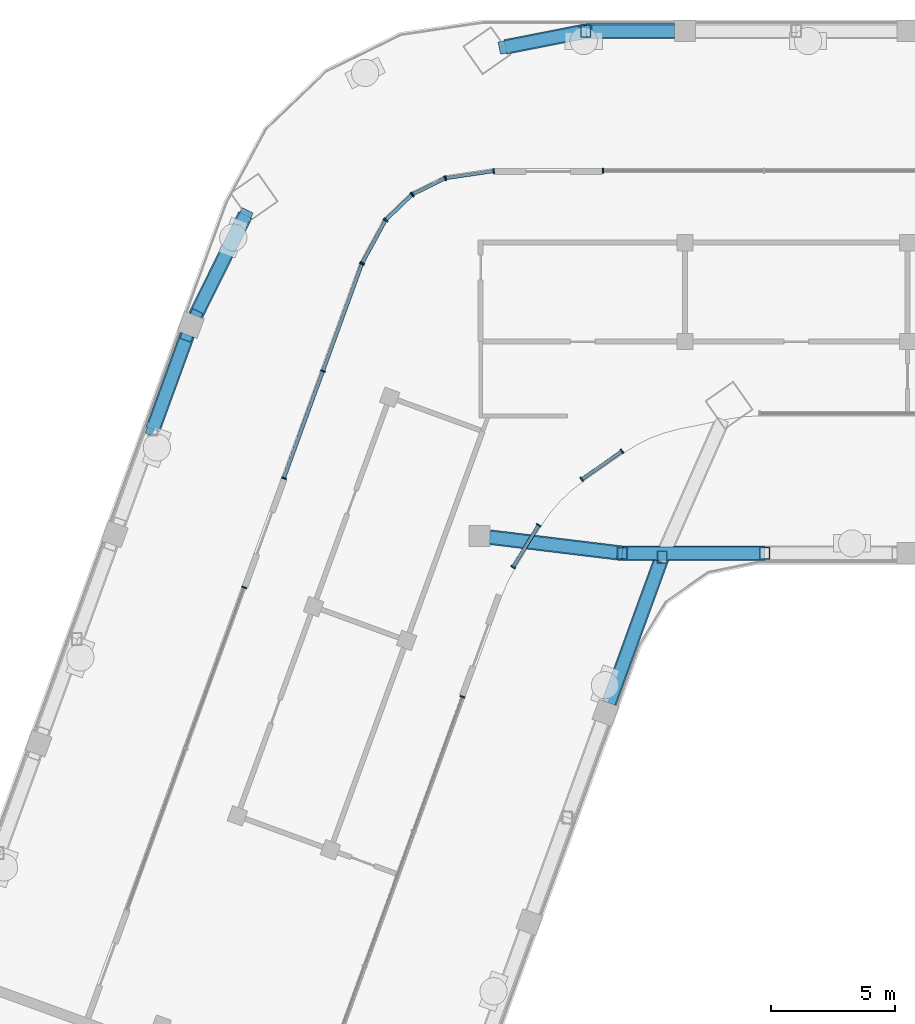
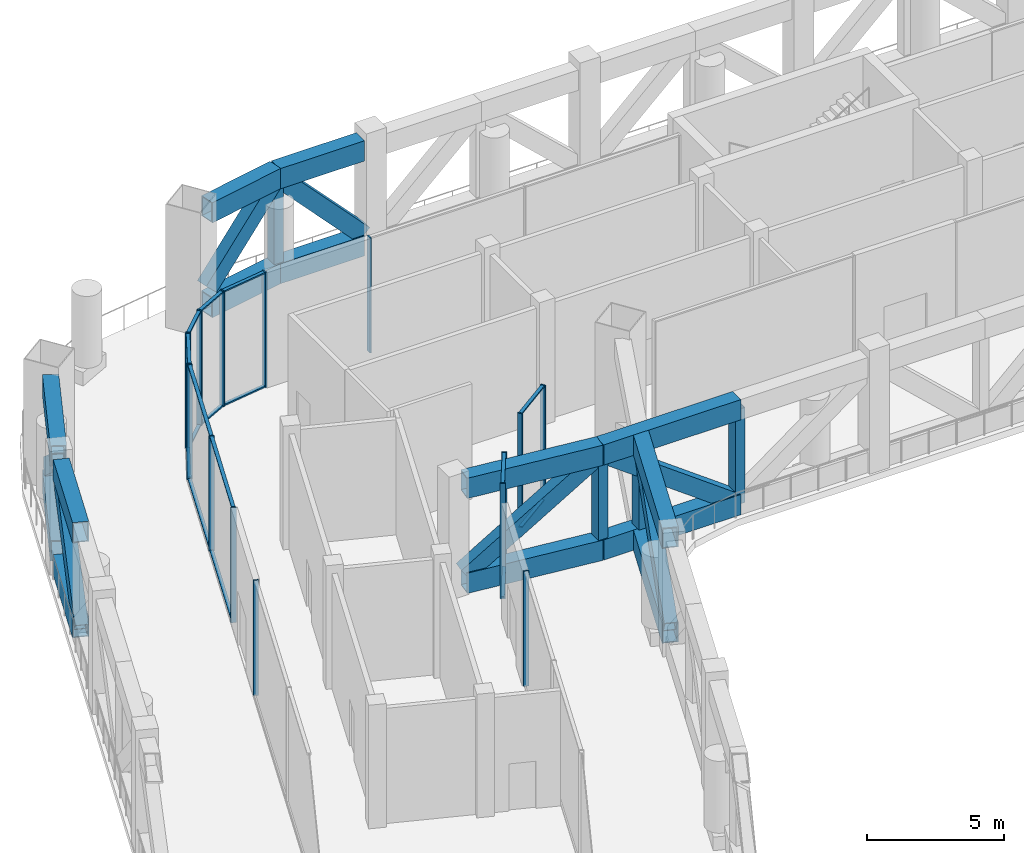
# One storey, part 3 of 19: 59 members, 10 elements without a shape of their own.
"""IFC4 building model written with IfcOpenShell, lengths in metres."""

from ifc_helpers import new_model, si_unit, direction, frame, origin, origin_2d, place, context, subcontext, project, spatial, rectangle, hollow_rectangle, extrude, material, material_profile, profile_set, type_object, element, aggregate, save


model = new_model("IFC4")

# Units and contexts
model_context = context("Model", 3, precision=1e-05, world=origin(), true_north=direction((0.0, 1.0)))
body_context = subcontext(model_context, "Body", "Model", "MODEL_VIEW")
ifc_project = project(units=[si_unit("LENGTHUNIT", "METRE"), si_unit("AREAUNIT", "SQUARE_METRE"), si_unit("VOLUMEUNIT", "CUBIC_METRE"), si_unit("PLANEANGLEUNIT", "RADIAN"), si_unit("MASSUNIT", "GRAM", prefix="KILO")], contexts=[model_context])

# Site, building, storey
site_placement = place(None, origin())
site = spatial("IfcSite", under=ifc_project, at=site_placement, CompositionType="ELEMENT")
building_placement = place(site_placement, origin())
building = spatial("IfcBuilding", under=site, at=building_placement, Name="Skarvind Civic Tower", CompositionType="ELEMENT")
storey_placement = place(building_placement, frame((0.0, 0.0, 129.0)))
storey = spatial("IfcBuildingStorey", under=building, at=storey_placement, Name="L30", CompositionType="ELEMENT", Elevation=129.0)

# Curtain wall, member
ifc_material_1 = material(Name="Aluminium alloy 6063 and laminated glass", Category="aluminium")
curtain_wall_type = type_object("IfcCurtainWallType", Name="CW3 SEPARATOR INNER GLAZING", PredefinedType="NOTDEFINED", material=ifc_material_1)
curtain_wall_1_placement = place(storey_placement, origin())
curtain_wall_1 = element("IfcCurtainWall", 1, at=curtain_wall_1_placement, inside=storey, type_object=curtain_wall_type, Name="SEPARATOR INNER GLAZING", PredefinedType="NOTDEFINED")
ifc_material_2 = material(Name="Aluminium alloy 6063", Category="aluminium")
ifc_material_profile_1 = material_profile(ifc_material_2, rectangle(XDim=0.199951171875, YDim=0.06005859375, at=origin_2d()), Name="AL 60x200")
ifc_profile_set_1 = profile_set([ifc_material_profile_1], Name="Aluminium alloy 6063")
member_type_1 = type_object("IfcMemberType", Name="CW3 MULLION 60x200", PredefinedType="MULLION", material=ifc_profile_set_1)
member_1_placement = place(storey_placement, frame((45.2626953125, 111.64794921875, 0.0), z_axis=(0.0, 0.0, 1.0), x_axis=(0.939693443578, -0.342017882714, 0.0)))
member_1 = element("IfcMember", 2, at=member_1_placement, type_object=member_type_1, Name="CW3 mullion 1", PredefinedType="MULLION", context=body_context, shape_type="SweptSolid", body=[
    extrude(rectangle(XDim=0.199951171875, YDim=0.06005859375, at=origin_2d()), origin(), (0.0, 0.0, 1.0), 5.125),
])
aggregate(curtain_wall_1, [member_1])

# Curtain wall, members
curtain_wall_2_placement = place(storey_placement, origin())
curtain_wall_2 = element("IfcCurtainWall", 3, at=curtain_wall_2_placement, inside=storey, type_object=curtain_wall_type, Name="SEPARATOR INNER GLAZING", PredefinedType="NOTDEFINED")
member_2_placement = place(storey_placement, frame((48.34375, 118.582763671875, 0.0), z_axis=(0.0, 0.0, 1.0), x_axis=(0.852690615508, -0.522416226992, 0.0)))
member_2 = element("IfcMember", 4, at=member_2_placement, type_object=member_type_1, Name="CW3 mullion 1", PredefinedType="MULLION", context=body_context, shape_type="SweptSolid", body=[
    extrude(rectangle(XDim=0.199951171875, YDim=0.06005859375, at=origin_2d()), origin(), (0.0, 0.0, 1.0), 5.125),
])
member_3_placement = place(storey_placement, frame((47.30810546875, 116.892578125, 0.0), z_axis=(0.0, 0.0, 1.0), x_axis=(0.852690615508, -0.522416226992, 0.0)))
member_3 = element("IfcMember", 5, at=member_3_placement, type_object=member_type_1, Name="CW3 mullion 2", PredefinedType="MULLION", context=body_context, shape_type="SweptSolid", body=[
    extrude(rectangle(XDim=0.199951171875, YDim=0.06005859375, at=origin_2d()), origin(), (0.0, 0.0, 1.0), 5.125),
])

curtain_wall_3_placement = place(storey_placement, origin())
curtain_wall_3 = element("IfcCurtainWall", 6, at=curtain_wall_3_placement, inside=storey, type_object=curtain_wall_type, Name="SEPARATOR INNER GLAZING", PredefinedType="NOTDEFINED")
member_4_placement = place(storey_placement, frame((51.71044921875, 121.57275390625, 0.0), z_axis=(0.0, 0.0, 1.0), x_axis=(0.573583930662, -0.819146796665, 0.0)))
member_4 = element("IfcMember", 7, at=member_4_placement, type_object=member_type_1, Name="CW3 mullion 1", PredefinedType="MULLION", context=body_context, shape_type="SweptSolid", body=[
    extrude(rectangle(XDim=0.199951171875, YDim=0.06005859375, at=origin_2d()), origin(), (0.0, 0.0, 1.0), 5.125),
])
member_5_placement = place(storey_placement, frame((50.086669921875, 120.435791015625, 0.0), z_axis=(0.0, 0.0, 1.0), x_axis=(0.573583930662, -0.819146796665, 0.0)))
member_5 = element("IfcMember", 8, at=member_5_placement, type_object=member_type_1, Name="CW3 mullion 2", PredefinedType="MULLION", context=body_context, shape_type="SweptSolid", body=[
    extrude(rectangle(XDim=0.199951171875, YDim=0.06005859375, at=origin_2d()), origin(), (0.0, 0.0, 1.0), 5.125),
])

# Curtain wall, member
curtain_wall_4_placement = place(storey_placement, origin())
curtain_wall_4 = element("IfcCurtainWall", 9, at=curtain_wall_4_placement, inside=storey, type_object=curtain_wall_type, Name="SEPARATOR INNER GLAZING", PredefinedType="NOTDEFINED")
member_6_placement = place(storey_placement, frame((50.934326171875, 132.89990234375, 0.0), z_axis=(0.0, 0.0, 1.0), x_axis=(0.0, 1.0, 0.0)))
member_6 = element("IfcMember", 10, at=member_6_placement, type_object=member_type_1, Name="CW3 mullion 1", PredefinedType="MULLION", context=body_context, shape_type="SweptSolid", body=[
    extrude(rectangle(XDim=0.199951171875, YDim=0.06005859375, at=origin_2d()), origin(), (0.0, 0.0, 1.0), 5.125),
])
aggregate(curtain_wall_4, [member_6])

# Curtain wall, members
curtain_wall_5_placement = place(storey_placement, origin())
curtain_wall_5 = element("IfcCurtainWall", 11, at=curtain_wall_5_placement, inside=storey, type_object=curtain_wall_type, Name="SEPARATOR INNER GLAZING", PredefinedType="NOTDEFINED")
member_7_placement = place(storey_placement, frame((44.59033203125, 132.609130859375, 0.0), z_axis=(0.0, 0.0, 1.0), x_axis=(-0.147088185109, 0.989123382496, 0.0)))
member_7 = element("IfcMember", 12, at=member_7_placement, type_object=member_type_1, Name="CW3 mullion 1", PredefinedType="MULLION", context=body_context, shape_type="SweptSolid", body=[
    extrude(rectangle(XDim=0.199951171875, YDim=0.06005859375, at=origin_2d()), origin(), (0.0, 0.0, 1.0), 5.125),
])
member_8_placement = place(storey_placement, frame((46.524169921875, 132.896728515625, 0.0), z_axis=(0.0, 0.0, 1.0), x_axis=(-0.147088185109, 0.989123382496, 0.0)))
member_8 = element("IfcMember", 13, at=member_8_placement, type_object=member_type_1, Name="CW3 mullion 2", PredefinedType="MULLION", context=body_context, shape_type="SweptSolid", body=[
    extrude(rectangle(XDim=0.199951171875, YDim=0.06005859375, at=origin_2d()), origin(), (0.0, 0.0, 1.0), 5.125),
])

curtain_wall_6_placement = place(storey_placement, origin())
curtain_wall_6 = element("IfcCurtainWall", 14, at=curtain_wall_6_placement, inside=storey, type_object=curtain_wall_type, Name="SEPARATOR INNER GLAZING", PredefinedType="NOTDEFINED")
member_9_placement = place(storey_placement, frame((43.248291015625, 131.954833984375, 0.0), z_axis=(0.0, 0.0, 1.0), x_axis=(-0.440749091032, 0.897630346387, 0.0)))
member_9 = element("IfcMember", 15, at=member_9_placement, type_object=member_type_1, Name="CW3 mullion 1", PredefinedType="MULLION", context=body_context, shape_type="SweptSolid", body=[
    extrude(rectangle(XDim=0.199951171875, YDim=0.06005859375, at=origin_2d()), origin(), (0.0, 0.0, 1.0), 5.125),
])
member_10_placement = place(storey_placement, frame((44.563232421875, 132.6005859375, 0.0), z_axis=(0.0, 0.0, 1.0), x_axis=(-0.440749091032, 0.897630346387, 0.0)))
member_10 = element("IfcMember", 16, at=member_10_placement, type_object=member_type_1, Name="CW3 mullion 2", PredefinedType="MULLION", context=body_context, shape_type="SweptSolid", body=[
    extrude(rectangle(XDim=0.199951171875, YDim=0.06005859375, at=origin_2d()), origin(), (0.0, 0.0, 1.0), 5.125),
])

curtain_wall_7_placement = place(storey_placement, origin())
curtain_wall_7 = element("IfcCurtainWall", 17, at=curtain_wall_7_placement, inside=storey, type_object=curtain_wall_type, Name="SEPARATOR INNER GLAZING", PredefinedType="NOTDEFINED")
member_11_placement = place(storey_placement, frame((42.16845703125, 130.923828125, 0.0), z_axis=(0.0, 0.0, 1.0), x_axis=(-0.692732476085, 0.721194645416, 0.0)))
member_11 = element("IfcMember", 18, at=member_11_placement, type_object=member_type_1, Name="CW3 mullion 1", PredefinedType="MULLION", context=body_context, shape_type="SweptSolid", body=[
    extrude(rectangle(XDim=0.199951171875, YDim=0.06005859375, at=origin_2d()), origin(), (0.0, 0.0, 1.0), 5.125),
])
member_12_placement = place(storey_placement, frame((43.224853515625, 131.9384765625, 0.0), z_axis=(0.0, 0.0, 1.0), x_axis=(-0.692732476085, 0.721194645416, 0.0)))
member_12 = element("IfcMember", 19, at=member_12_placement, type_object=member_type_1, Name="CW3 mullion 2", PredefinedType="MULLION", context=body_context, shape_type="SweptSolid", body=[
    extrude(rectangle(XDim=0.199951171875, YDim=0.06005859375, at=origin_2d()), origin(), (0.0, 0.0, 1.0), 5.125),
])

curtain_wall_8_placement = place(storey_placement, origin())
curtain_wall_8 = element("IfcCurtainWall", 20, at=curtain_wall_8_placement, inside=storey, type_object=curtain_wall_type, Name="SEPARATOR INNER GLAZING", PredefinedType="NOTDEFINED")
member_13_placement = place(storey_placement, frame((41.21923828125, 129.18212890625, 0.0), z_axis=(0.0, 0.0, 1.0), x_axis=(-0.879149914421, 0.476545305268, 0.0)))
member_13 = element("IfcMember", 21, at=member_13_placement, type_object=member_type_1, Name="CW3 mullion 1", PredefinedType="MULLION", context=body_context, shape_type="SweptSolid", body=[
    extrude(rectangle(XDim=0.199951171875, YDim=0.06005859375, at=origin_2d()), origin(), (0.0, 0.0, 1.0), 5.125),
])
member_14_placement = place(storey_placement, frame((42.151123046875, 130.901123046875, 0.0), z_axis=(0.0, 0.0, 1.0), x_axis=(-0.879149914421, 0.476545305268, 0.0)))
member_14 = element("IfcMember", 22, at=member_14_placement, type_object=member_type_1, Name="CW3 mullion 2", PredefinedType="MULLION", context=body_context, shape_type="SweptSolid", body=[
    extrude(rectangle(XDim=0.199951171875, YDim=0.06005859375, at=origin_2d()), origin(), (0.0, 0.0, 1.0), 5.125),
])

# Curtain wall, member
curtain_wall_9_placement = place(storey_placement, origin())
curtain_wall_9 = element("IfcCurtainWall", 23, at=curtain_wall_9_placement, inside=storey, type_object=curtain_wall_type, Name="SEPARATOR INNER GLAZING", PredefinedType="NOTDEFINED")
member_15_placement = place(storey_placement, frame((36.442626953125, 116.068115234375, 0.0), z_axis=(0.0, 0.0, 1.0), x_axis=(-0.939692012762, 0.342021813854, 0.0)))
member_15 = element("IfcMember", 24, at=member_15_placement, type_object=member_type_1, Name="CW3 mullion 3", PredefinedType="MULLION", context=body_context, shape_type="SweptSolid", body=[
    extrude(rectangle(XDim=0.199951171875, YDim=0.06005859375, at=origin_2d()), origin(), (0.0, 0.0, 1.0), 5.125),
])
aggregate(curtain_wall_9, [member_15])

# Curtain wall, members
curtain_wall_10_placement = place(storey_placement, origin())
curtain_wall_10 = element("IfcCurtainWall", 25, at=curtain_wall_10_placement, inside=storey, type_object=curtain_wall_type, Name="SEPARATOR INNER GLAZING", PredefinedType="NOTDEFINED")
member_16_placement = place(storey_placement, frame((38.04931640625, 120.482177734375, 0.0), z_axis=(0.0, 0.0, 1.0), x_axis=(-0.939690437186, 0.342026142657, 0.0)))
member_16 = element("IfcMember", 26, at=member_16_placement, type_object=member_type_1, Name="CW3 mullion 1", PredefinedType="MULLION", context=body_context, shape_type="SweptSolid", body=[
    extrude(rectangle(XDim=0.199951171875, YDim=0.06005859375, at=origin_2d()), origin(), (0.0, 0.0, 1.0), 5.125),
])
member_17_placement = place(storey_placement, frame((39.625, 124.811767578125, 0.0), z_axis=(0.0, 0.0, 1.0), x_axis=(-0.939690437186, 0.342026142657, 0.0)))
member_17 = element("IfcMember", 27, at=member_17_placement, type_object=member_type_1, Name="CW3 mullion 2", PredefinedType="MULLION", context=body_context, shape_type="SweptSolid", body=[
    extrude(rectangle(XDim=0.199951171875, YDim=0.06005859375, at=origin_2d()), origin(), (0.0, 0.0, 1.0), 5.125),
])
member_18_placement = place(storey_placement, frame((41.200927734375, 129.14111328125, 0.0), z_axis=(0.0, 0.0, 1.0), x_axis=(-0.939690437186, 0.342026142657, 0.0)))
member_18 = element("IfcMember", 28, at=member_18_placement, type_object=member_type_1, Name="CW3 mullion 3", PredefinedType="MULLION", context=body_context, shape_type="SweptSolid", body=[
    extrude(rectangle(XDim=0.199951171875, YDim=0.06005859375, at=origin_2d()), origin(), (0.0, 0.0, 1.0), 5.125),
])

# Member
ifc_material_profile_2 = material_profile(ifc_material_2, rectangle(XDim=0.139892578125, YDim=0.06005859375, at=origin_2d()), Name="AL 60x140")
ifc_profile_set_2 = profile_set([ifc_material_profile_2], Name="Aluminium alloy 6063")
member_type_2 = type_object("IfcMemberType", Name="CW3 TRANSOM 60x140", PredefinedType="USERDEFINED", material=ifc_profile_set_2)
member_19_placement = place(storey_placement, frame((48.328125, 118.55712890625, 0.030029296875), z_axis=(-0.522466758682, -0.852659654301, 0.0), x_axis=(0.852659654301, -0.522466758682, 0.0)))
member_19 = element("IfcMember", 29, at=member_19_placement, type_object=member_type_2, Name="CW3 transom 1.1", ObjectType="TRANSOM", PredefinedType="USERDEFINED", context=body_context, shape_type="SweptSolid", body=[
    extrude(rectangle(XDim=0.139892578125, YDim=0.06005859375, at=origin_2d()), origin(), (0.0, 0.0, 1.0), 1.92236328125),
])

member_20_placement = place(storey_placement, frame((48.328125, 118.55712890625, 5.094970703125), z_axis=(-0.522466758682, -0.852659654301, 0.0), x_axis=(0.852659654301, -0.522466758682, 0.0)))
member_20 = element("IfcMember", 30, at=member_20_placement, type_object=member_type_2, Name="CW3 transom 1.2", ObjectType="TRANSOM", PredefinedType="USERDEFINED", context=body_context, shape_type="SweptSolid", body=[
    extrude(rectangle(XDim=0.139892578125, YDim=0.06005859375, at=origin_2d()), origin(), (0.0, 0.0, 1.0), 1.92236328125),
])

aggregate(curtain_wall_2, [member_2, member_3, member_19, member_20])

member_21_placement = place(storey_placement, frame((51.685791015625, 121.555419921875, 0.030029296875), z_axis=(-0.819130464862, -0.573607253732, 0.0), x_axis=(0.573607253732, -0.819130464862, 0.0)))
member_21 = element("IfcMember", 31, at=member_21_placement, type_object=member_type_2, Name="CW3 transom 1.1", ObjectType="TRANSOM", PredefinedType="USERDEFINED", context=body_context, shape_type="SweptSolid", body=[
    extrude(rectangle(XDim=0.139892578125, YDim=0.06005859375, at=origin_2d()), origin(), (0.0, 0.0, 1.0), 1.922119140625),
])

member_22_placement = place(storey_placement, frame((51.685791015625, 121.555419921875, 5.094970703125), z_axis=(-0.819130464862, -0.573607253732, 0.0), x_axis=(0.573607253732, -0.819130464862, 0.0)))
member_22 = element("IfcMember", 32, at=member_22_placement, type_object=member_type_2, Name="CW3 transom 1.2", ObjectType="TRANSOM", PredefinedType="USERDEFINED", context=body_context, shape_type="SweptSolid", body=[
    extrude(rectangle(XDim=0.139892578125, YDim=0.06005859375, at=origin_2d()), origin(), (0.0, 0.0, 1.0), 1.922119140625),
])

aggregate(curtain_wall_3, [member_4, member_5, member_21, member_22])

member_23_placement = place(storey_placement, frame((44.6201171875, 132.613525390625, 0.030029296875), z_axis=(0.989118913617, 0.14711823383, 0.0), x_axis=(-0.14711823383, 0.989118913617, 0.0)))
member_23 = element("IfcMember", 33, at=member_23_placement, type_object=member_type_2, Name="CW3 transom 1.1", ObjectType="TRANSOM", PredefinedType="USERDEFINED", context=body_context, shape_type="SweptSolid", body=[
    extrude(rectangle(XDim=0.139892578125, YDim=0.06005859375, at=origin_2d()), origin(), (0.0, 0.0, 1.0), 1.89501953125),
])

member_24_placement = place(storey_placement, frame((44.6201171875, 132.613525390625, 5.094970703125), z_axis=(0.989118913617, 0.14711823383, 0.0), x_axis=(-0.14711823383, 0.989118913617, 0.0)))
member_24 = element("IfcMember", 34, at=member_24_placement, type_object=member_type_2, Name="CW3 transom 1.2", ObjectType="TRANSOM", PredefinedType="USERDEFINED", context=body_context, shape_type="SweptSolid", body=[
    extrude(rectangle(XDim=0.139892578125, YDim=0.06005859375, at=origin_2d()), origin(), (0.0, 0.0, 1.0), 1.89501953125),
])

aggregate(curtain_wall_5, [member_7, member_8, member_23, member_24])

member_25_placement = place(storey_placement, frame((43.275146484375, 131.96826171875, 0.030029296875), z_axis=(0.897636359054, 0.440736845413, 0.0), x_axis=(-0.440736845413, 0.897636359054, 0.0)))
member_25 = element("IfcMember", 35, at=member_25_placement, type_object=member_type_2, Name="CW3 transom 1.1", ObjectType="TRANSOM", PredefinedType="USERDEFINED", context=body_context, shape_type="SweptSolid", body=[
    extrude(rectangle(XDim=0.139892578125, YDim=0.06005859375, at=origin_2d()), origin(), (0.0, 0.0, 1.0), 1.40478515625),
])

member_26_placement = place(storey_placement, frame((43.275146484375, 131.96826171875, 5.094970703125), z_axis=(0.897636359054, 0.440736845413, 0.0), x_axis=(-0.440736845413, 0.897636359054, 0.0)))
member_26 = element("IfcMember", 36, at=member_26_placement, type_object=member_type_2, Name="CW3 transom 1.2", ObjectType="TRANSOM", PredefinedType="USERDEFINED", context=body_context, shape_type="SweptSolid", body=[
    extrude(rectangle(XDim=0.139892578125, YDim=0.06005859375, at=origin_2d()), origin(), (0.0, 0.0, 1.0), 1.40478515625),
])

aggregate(curtain_wall_6, [member_9, member_10, member_25, member_26])

member_27_placement = place(storey_placement, frame((42.18994140625, 130.944580078125, 0.030029296875), z_axis=(0.721213656633, 0.692712683214, 0.0), x_axis=(-0.692712683214, 0.721213656633, 0.0)))
member_27 = element("IfcMember", 37, at=member_27_placement, type_object=member_type_2, Name="CW3 transom 1.1", ObjectType="TRANSOM", PredefinedType="USERDEFINED", context=body_context, shape_type="SweptSolid", body=[
    extrude(rectangle(XDim=0.139892578125, YDim=0.06005859375, at=origin_2d()), origin(), (0.0, 0.0, 1.0), 1.40478515625),
])

member_28_placement = place(storey_placement, frame((42.18994140625, 130.944580078125, 5.094970703125), z_axis=(0.721213656633, 0.692712683214, 0.0), x_axis=(-0.692712683214, 0.721213656633, 0.0)))
member_28 = element("IfcMember", 38, at=member_28_placement, type_object=member_type_2, Name="CW3 transom 1.2", ObjectType="TRANSOM", PredefinedType="USERDEFINED", context=body_context, shape_type="SweptSolid", body=[
    extrude(rectangle(XDim=0.139892578125, YDim=0.06005859375, at=origin_2d()), origin(), (0.0, 0.0, 1.0), 1.40478515625),
])

aggregate(curtain_wall_7, [member_11, member_12, member_27, member_28])

member_29_placement = place(storey_placement, frame((41.233642578125, 129.20849609375, 0.030029296875), z_axis=(0.476494775331, 0.879177302415, 0.0), x_axis=(-0.879177302415, 0.476494775331, 0.0)))
member_29 = element("IfcMember", 39, at=member_29_placement, type_object=member_type_2, Name="CW3 transom 1.1", ObjectType="TRANSOM", PredefinedType="USERDEFINED", context=body_context, shape_type="SweptSolid", body=[
    extrude(rectangle(XDim=0.139892578125, YDim=0.06005859375, at=origin_2d()), origin(), (0.0, 0.0, 1.0), 1.895263671875),
])

member_30_placement = place(storey_placement, frame((41.233642578125, 129.20849609375, 5.094970703125), z_axis=(0.476494775331, 0.879177302415, 0.0), x_axis=(-0.879177302415, 0.476494775331, 0.0)))
member_30 = element("IfcMember", 40, at=member_30_placement, type_object=member_type_2, Name="CW3 transom 1.2", ObjectType="TRANSOM", PredefinedType="USERDEFINED", context=body_context, shape_type="SweptSolid", body=[
    extrude(rectangle(XDim=0.139892578125, YDim=0.06005859375, at=origin_2d()), origin(), (0.0, 0.0, 1.0), 1.895263671875),
])

aggregate(curtain_wall_8, [member_13, member_14, member_29, member_30])

member_31_placement = place(storey_placement, frame((38.0595703125, 120.510498046875, 0.030029296875), z_axis=(0.342010327501, 0.939696193396, 0.0), x_axis=(-0.939696193396, 0.342010327501, 0.0)))
member_31 = element("IfcMember", 41, at=member_31_placement, type_object=member_type_2, Name="CW3 transom 1.1", ObjectType="TRANSOM", PredefinedType="USERDEFINED", context=body_context, shape_type="SweptSolid", body=[
    extrude(rectangle(XDim=0.139892578125, YDim=0.06005859375, at=origin_2d()), origin(), (0.0, 0.0, 1.0), 4.547119140625),
])

member_32_placement = place(storey_placement, frame((38.0595703125, 120.510498046875, 5.094970703125), z_axis=(0.342010327501, 0.939696193396, 0.0), x_axis=(-0.939696193396, 0.342010327501, 0.0)))
member_32 = element("IfcMember", 42, at=member_32_placement, type_object=member_type_2, Name="CW3 transom 1.2", ObjectType="TRANSOM", PredefinedType="USERDEFINED", context=body_context, shape_type="SweptSolid", body=[
    extrude(rectangle(XDim=0.139892578125, YDim=0.06005859375, at=origin_2d()), origin(), (0.0, 0.0, 1.0), 4.547119140625),
])

member_33_placement = place(storey_placement, frame((39.63525390625, 124.83984375, 0.030029296875), z_axis=(0.342057736716, 0.939678937059, 0.0), x_axis=(-0.939678937059, 0.342057736716, 0.0)))
member_33 = element("IfcMember", 43, at=member_33_placement, type_object=member_type_2, Name="CW3 transom 2.1", ObjectType="TRANSOM", PredefinedType="USERDEFINED", context=body_context, shape_type="SweptSolid", body=[
    extrude(rectangle(XDim=0.139892578125, YDim=0.06005859375, at=origin_2d()), origin(), (0.0, 0.0, 1.0), 4.54736328125),
])

member_34_placement = place(storey_placement, frame((39.63525390625, 124.83984375, 5.094970703125), z_axis=(0.342057736716, 0.939678937059, 0.0), x_axis=(-0.939678937059, 0.342057736716, 0.0)))
member_34 = element("IfcMember", 44, at=member_34_placement, type_object=member_type_2, Name="CW3 transom 2.2", ObjectType="TRANSOM", PredefinedType="USERDEFINED", context=body_context, shape_type="SweptSolid", body=[
    extrude(rectangle(XDim=0.139892578125, YDim=0.06005859375, at=origin_2d()), origin(), (0.0, 0.0, 1.0), 4.54736328125),
])

aggregate(curtain_wall_10, [member_16, member_17, member_18, member_31, member_32, member_33, member_34])

# Members
ifc_material_3 = material(Name="Steel SM355", Category="steel")
ifc_material_profile_3 = material_profile(ifc_material_3, hollow_rectangle(XDim=0.60009765625, YDim=0.89990234375, WallThickness=0.0400390625, at=origin_2d()), Name="BOX-900x600x40")
ifc_profile_set_3 = profile_set([ifc_material_profile_3], Name="Steel SM355")
member_type_3 = type_object("IfcMemberType", Name="Truss chord BOX-900x600x40 SM355", PredefinedType="CHORD", material=ifc_profile_set_3)
for number, where, z_axis, x_axis, name in (
    (45, (46.998046875, 137.91015625, 0.449951171875), (0.981168592645, 0.193153288367, 0.0), (-0.193153288367, 0.981168592645, 0.0), "Outrigger truss L30 W1N chord"),
    (46, (46.998046875, 137.91015625, 4.675048828125), (0.981168592645, 0.193153288367, 0.0), (-0.193153288367, 0.981168592645, 0.0), "Outrigger truss L30 W1N chord"),
):
    element("IfcMember", number, at=place(storey_placement, frame(where, z_axis=z_axis, x_axis=x_axis)), inside=storey, type_object=member_type_3, Name=name, PredefinedType="CHORD", context=body_context, shape_type="SweptSolid", body=[
        extrude(hollow_rectangle(XDim=0.60009765625, YDim=0.89990234375, WallThickness=0.0400390625, at=origin_2d()), origin(), (0.0, 0.0, 1.0), 3.31298828125),
    ])
for number, where, z_axis, x_axis, name in (
    (47, (50.24853515625, 138.550048828125, 0.449951171875), (1.0, 0.0, 0.0), (0.0, 1.0, 0.0), "Outrigger truss L30 W1N chord"),
    (48, (50.24853515625, 138.550048828125, 4.675048828125), (1.0, 0.0, 0.0), (0.0, 1.0, 0.0), "Outrigger truss L30 W1N chord"),
):
    element("IfcMember", number, at=place(storey_placement, frame(where, z_axis=z_axis, x_axis=x_axis)), inside=storey, type_object=member_type_3, Name=name, PredefinedType="CHORD", context=body_context, shape_type="SweptSolid", body=[
        extrude(hollow_rectangle(XDim=0.60009765625, YDim=0.89990234375, WallThickness=0.0400390625, at=origin_2d()), origin(), (0.0, 0.0, 1.0), 3.576416015625),
    ])
for number, where, z_axis, x_axis, name in (
    (49, (46.37646484375, 118.099853515625, 0.449951171875), (0.992678820192, -0.120783939087, 0.0), (0.120783939087, 0.992678820192, 0.0), "Outrigger truss L30 W1S chord"),
    (50, (46.37646484375, 118.099853515625, 4.675048828125), (0.992678820192, -0.120783939087, 0.0), (0.120783939087, 0.992678820192, 0.0), "Outrigger truss L30 W1S chord"),
):
    element("IfcMember", number, at=place(storey_placement, frame(where, z_axis=z_axis, x_axis=x_axis)), inside=storey, type_object=member_type_3, Name=name, PredefinedType="CHORD", context=body_context, shape_type="SweptSolid", body=[
        extrude(hollow_rectangle(XDim=0.60009765625, YDim=0.89990234375, WallThickness=0.0400390625, at=origin_2d()), origin(), (0.0, 0.0, 1.0), 5.380615234375),
    ])
for number, where, z_axis, x_axis, name in (
    (51, (51.7177734375, 117.449951171875, 0.449951171875), (1.0, 0.0, 0.0), (0.0, 1.0, 0.0), "Outrigger truss L30 W1S chord"),
    (52, (51.7177734375, 117.449951171875, 4.675048828125), (1.0, 0.0, 0.0), (0.0, 1.0, 0.0), "Outrigger truss L30 W1S chord"),
):
    element("IfcMember", number, at=place(storey_placement, frame(where, z_axis=z_axis, x_axis=x_axis)), inside=storey, type_object=member_type_3, Name=name, PredefinedType="CHORD", context=body_context, shape_type="SweptSolid", body=[
        extrude(hollow_rectangle(XDim=0.60009765625, YDim=0.89990234375, WallThickness=0.0400390625, at=origin_2d()), origin(), (0.0, 0.0, 1.0), 5.76611328125),
    ])
for number, where, z_axis, x_axis, name in (
    (53, (53.32958984375, 117.29150390625, 0.449951171875), (-0.342033837926, -0.939687636246, 0.0), (0.939687636246, -0.342033837926, 0.0), "Outrigger truss L30 W2N chord"),
    (54, (53.32958984375, 117.29150390625, 4.675048828125), (-0.342033837926, -0.939687636246, 0.0), (0.939687636246, -0.342033837926, 0.0), "Outrigger truss L30 W2N chord"),
):
    element("IfcMember", number, at=place(storey_placement, frame(where, z_axis=z_axis, x_axis=x_axis)), inside=storey, type_object=member_type_3, Name=name, PredefinedType="CHORD", context=body_context, shape_type="SweptSolid", body=[
        extrude(hollow_rectangle(XDim=0.60009765625, YDim=0.89990234375, WallThickness=0.0400390625, at=origin_2d()), origin(), (0.0, 0.0, 1.0), 6.269287109375),
    ])
for number, where, z_axis, x_axis, name in (
    (55, (36.4921875, 131.12255859375, 0.449951171875), (-0.443635530909, -0.896207295058, 0.0), (0.896207295058, -0.443635530909, 0.0), "Outrigger truss L30 W2S chord"),
    (56, (36.4921875, 131.12255859375, 4.675048828125), (-0.443635530909, -0.896207295058, 0.0), (0.896207295058, -0.443635530909, 0.0), "Outrigger truss L30 W2S chord"),
):
    element("IfcMember", number, at=place(storey_placement, frame(where, z_axis=z_axis, x_axis=x_axis)), inside=storey, type_object=member_type_3, Name=name, PredefinedType="CHORD", context=body_context, shape_type="SweptSolid", body=[
        extrude(hollow_rectangle(XDim=0.60009765625, YDim=0.89990234375, WallThickness=0.0400390625, at=origin_2d()), origin(), (0.0, 0.0, 1.0), 4.53515625),
    ])
for number, where, z_axis, x_axis, name in (
    (57, (34.145263671875, 126.275634765625, 0.449951171875), (-0.342026855282, -0.939690177806, 0.0), (0.939690177806, -0.342026855282, 0.0), "Outrigger truss L30 W2S chord"),
    (58, (34.145263671875, 126.275634765625, 4.675048828125), (-0.342026855282, -0.939690177806, 0.0), (0.939690177806, -0.342026855282, 0.0), "Outrigger truss L30 W2S chord"),
):
    element("IfcMember", number, at=place(storey_placement, frame(where, z_axis=z_axis, x_axis=x_axis)), inside=storey, type_object=member_type_3, Name=name, PredefinedType="CHORD", context=body_context, shape_type="SweptSolid", body=[
        extrude(hollow_rectangle(XDim=0.60009765625, YDim=0.89990234375, WallThickness=0.0400390625, at=origin_2d()), origin(), (0.0, 0.0, 1.0), 4.0751953125),
    ])
ifc_material_profile_4 = material_profile(ifc_material_3, hollow_rectangle(XDim=0.5, YDim=0.699951171875, WallThickness=0.028076171875, at=origin_2d()), Name="BOX-700x500x28")
ifc_profile_set_4 = profile_set([ifc_material_profile_4], Name="Steel SM355")
member_type_4 = type_object("IfcMemberType", Name="Truss diagonal BOX-700x500x28 SM355", PredefinedType="BRACE", material=ifc_profile_set_4)
member_35_placement = place(storey_placement, frame((46.998046875, 137.91015625, 1.242919921875), z_axis=(0.681417948353, 0.134144242349, 0.719496283456), x_axis=(-0.193153288367, 0.981168592645, 0.0)))
element("IfcMember", 59, at=member_35_placement, inside=storey, type_object=member_type_4, Name="Outrigger truss L30 W1N diagonal", PredefinedType="BRACE", context=body_context, shape_type="SweptSolid", body=[
    extrude(hollow_rectangle(XDim=0.5, YDim=0.699951171875, WallThickness=0.028076171875, at=origin_2d()), origin(), (0.0, 0.0, 1.0), 4.770263671875),
])
member_36_placement = place(storey_placement, frame((50.24853515625, 138.550048828125, 4.675048828125), z_axis=(0.687623553791, 0.0, -0.72606738549), x_axis=(0.0, 1.0, 0.0)))
element("IfcMember", 60, at=member_36_placement, inside=storey, type_object=member_type_4, Name="Outrigger truss L30 W1N diagonal", PredefinedType="BRACE", context=body_context, shape_type="SweptSolid", body=[
    extrude(hollow_rectangle(XDim=0.5, YDim=0.699951171875, WallThickness=0.028076171875, at=origin_2d()), origin(), (0.0, 0.0, 1.0), 5.201171875),
])
member_37_placement = place(storey_placement, frame((46.37646484375, 118.099853515625, 0.761474609375), z_axis=(0.802791290391, -0.097679422937, 0.588204789513), x_axis=(0.120783939087, 0.992678820192, 0.0)))
element("IfcMember", 61, at=member_37_placement, inside=storey, type_object=member_type_4, Name="Outrigger truss L30 W1S diagonal", PredefinedType="BRACE", context=body_context, shape_type="SweptSolid", body=[
    extrude(hollow_rectangle(XDim=0.5, YDim=0.699951171875, WallThickness=0.028076171875, at=origin_2d()), origin(), (0.0, 0.0, 1.0), 6.6533203125),
])
member_38_placement = place(storey_placement, frame((51.7177734375, 117.449951171875, 4.675048828125), z_axis=(0.806630782627, 0.0, -0.591055649257), x_axis=(0.0, 1.0, 0.0)))
element("IfcMember", 62, at=member_38_placement, inside=storey, type_object=member_type_4, Name="Outrigger truss L30 W1S diagonal", PredefinedType="BRACE", context=body_context, shape_type="SweptSolid", body=[
    extrude(hollow_rectangle(XDim=0.5, YDim=0.699951171875, WallThickness=0.028076171875, at=origin_2d()), origin(), (0.0, 0.0, 1.0), 7.1484375),
])
member_39_placement = place(storey_placement, frame((53.32958984375, 117.29150390625, 4.675048828125), z_axis=(-0.289242530417, -0.794651287596, -0.533730353007), x_axis=(0.939687636246, -0.342033837926, 0.0)))
element("IfcMember", 63, at=member_39_placement, inside=storey, type_object=member_type_4, Name="Outrigger truss L30 W2N diagonal", PredefinedType="BRACE", context=body_context, shape_type="SweptSolid", body=[
    extrude(hollow_rectangle(XDim=0.5, YDim=0.699951171875, WallThickness=0.028076171875, at=origin_2d()), origin(), (0.0, 0.0, 1.0), 7.41357421875),
])
member_40_placement = place(storey_placement, frame((36.4921875, 131.12255859375, 1.03515625), z_axis=(-0.357735614489, -0.722677164182, 0.591407597598), x_axis=(0.896207295058, -0.443635530909, 0.0)))
element("IfcMember", 64, at=member_40_placement, inside=storey, type_object=member_type_4, Name="Outrigger truss L30 W2S diagonal", PredefinedType="BRACE", context=body_context, shape_type="SweptSolid", body=[
    extrude(hollow_rectangle(XDim=0.5, YDim=0.699951171875, WallThickness=0.028076171875, at=origin_2d()), origin(), (0.0, 0.0, 1.0), 5.624267578125),
])
member_41_placement = place(storey_placement, frame((34.145263671875, 126.275634765625, 4.27587890625), z_axis=(-0.249353109176, -0.6850768116, -0.684465330863), x_axis=(0.939690177806, -0.342026855282, 0.0)))
element("IfcMember", 65, at=member_41_placement, inside=storey, type_object=member_type_4, Name="Outrigger truss L30 W2S diagonal", PredefinedType="BRACE", context=body_context, shape_type="SweptSolid", body=[
    extrude(hollow_rectangle(XDim=0.5, YDim=0.699951171875, WallThickness=0.028076171875, at=origin_2d()), origin(), (0.0, 0.0, 1.0), 5.589599609375),
])
ifc_material_profile_5 = material_profile(ifc_material_3, hollow_rectangle(XDim=0.39990234375, YDim=0.5, WallThickness=0.02001953125, at=origin_2d()), Name="BOX-500x400x20")
ifc_profile_set_5 = profile_set([ifc_material_profile_5], Name="Steel SM355")
member_type_5 = type_object("IfcMemberType", Name="Truss post BOX-500x400x20 SM355", PredefinedType="POST", material=ifc_profile_set_5)
for number, where, z_axis, x_axis, name in (
    (66, (50.24853515625, 138.550048828125, 0.449951171875), (0.0, 0.0, 1.0), (1.0, 0.0, 0.0), "Outrigger truss L30 W1N post"),
    (67, (51.7177734375, 117.449951171875, 0.449951171875), (0.0, 0.0, 1.0), (1.0, 0.0, 0.0), "Outrigger truss L30 W1S post"),
    (68, (57.48388671875, 117.449951171875, 0.449951171875), (0.0, 0.0, 1.0), (1.0, 0.0, 0.0), "Outrigger truss L30 W1S post"),
    (69, (53.32958984375, 117.29150390625, 0.449951171875), (0.0, 0.0, 1.0), (1.0, 0.0, 0.0), "Outrigger truss L30 W2N post"),
):
    element("IfcMember", number, at=place(storey_placement, frame(where, z_axis=z_axis, x_axis=x_axis)), inside=storey, type_object=member_type_5, Name=name, PredefinedType="POST", context=body_context, shape_type="SweptSolid", body=[
        extrude(hollow_rectangle(XDim=0.39990234375, YDim=0.5, WallThickness=0.02001953125, at=origin_2d()), origin(), (0.0, 0.0, 1.0), 4.22509765625),
    ])

save(model, "model.ifc")
